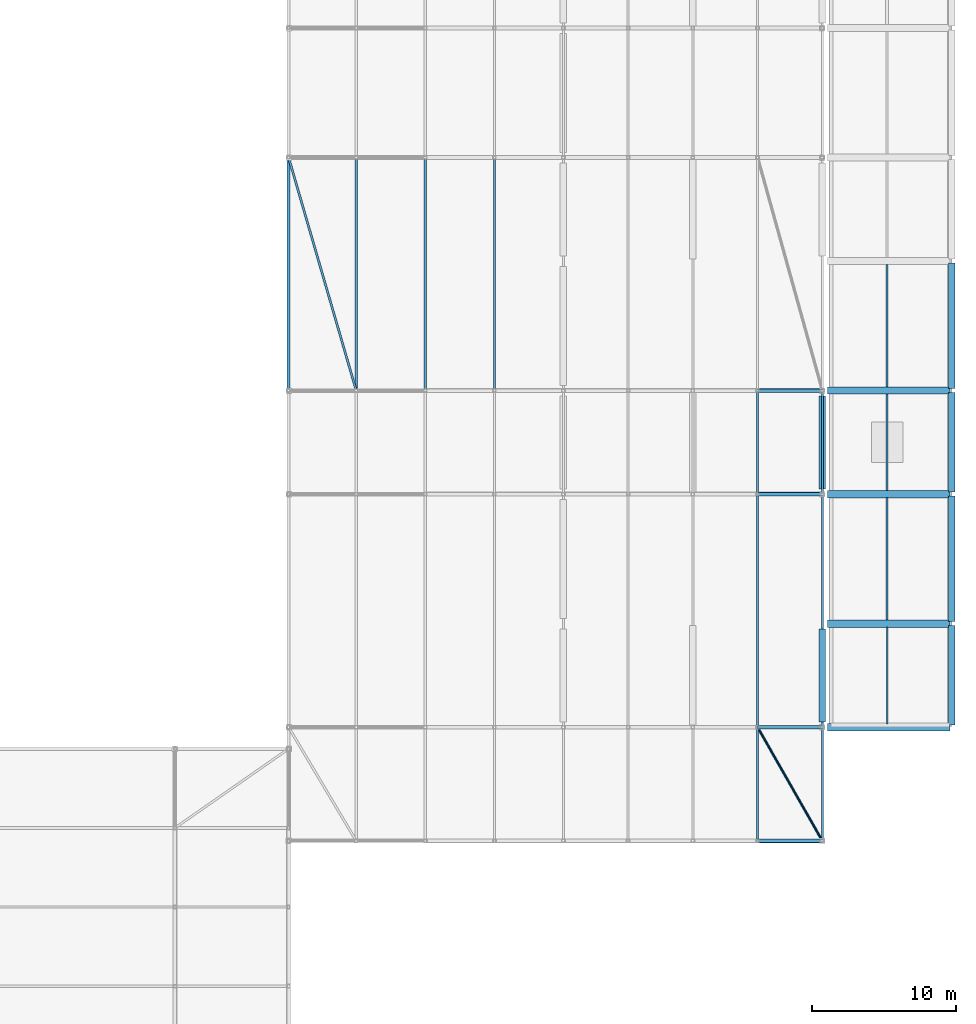
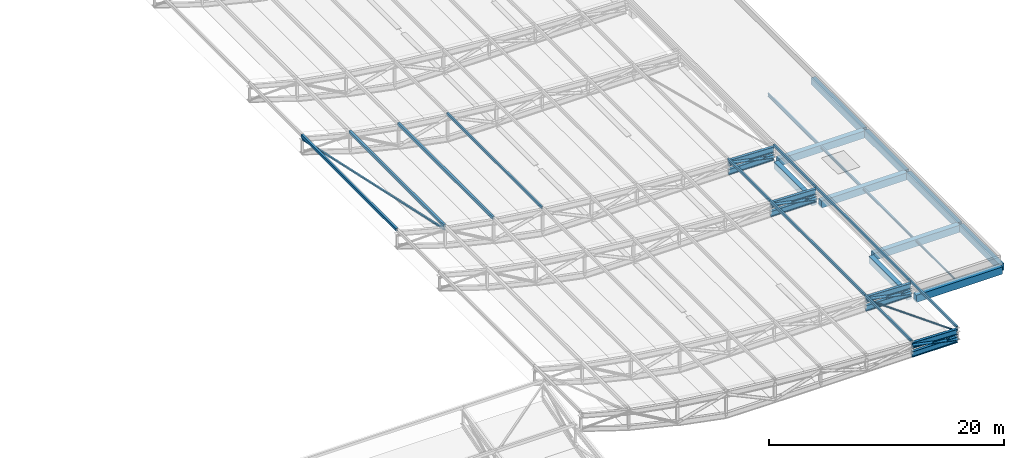
# One storey, part 53 of 114: 22 beams, 16 members.
"""IFC4 building model written with IfcOpenShell, lengths in metres."""

from ifc_helpers import new_model, si_unit, direction, frame, origin, origin_2d, place, context, subcontext, project, spatial, rectangle, hollow_rectangle, hollow_circle, i_section, extrude, material, material_profile, profile_set, type_object, element, save


model = new_model("IFC4")

# Units and contexts
model_context = context("Model", 3, precision=1e-05, world=origin(), true_north=direction((0.0, 1.0)))
body_context = subcontext(model_context, "Body", "Model", "MODEL_VIEW")
ifc_project = project(units=[si_unit("LENGTHUNIT", "METRE"), si_unit("AREAUNIT", "SQUARE_METRE"), si_unit("VOLUMEUNIT", "CUBIC_METRE"), si_unit("PLANEANGLEUNIT", "RADIAN"), si_unit("MASSUNIT", "GRAM", prefix="KILO"), si_unit("THERMODYNAMICTEMPERATUREUNIT", "KELVIN"), si_unit("POWERUNIT", "WATT")], contexts=[model_context])

# Site, building, storey
site_placement = place(None, origin())
site = spatial("IfcSite", under=ifc_project, at=site_placement, CompositionType="ELEMENT")
building_placement = place(site_placement, origin())
building = spatial("IfcBuilding", under=site, at=building_placement, Name="Sindhuravela Promenade Stadium", CompositionType="ELEMENT")
storey_placement = place(building_placement, frame((0.0, 0.0, 24.0)))
storey = spatial("IfcBuildingStorey", under=building, at=storey_placement, Name="L05", CompositionType="ELEMENT", Elevation=24.0)

# Beams
ifc_material_1 = material(Name="Concrete M40", Category="concrete")
ifc_material_profile_1 = material_profile(ifc_material_1, rectangle(XDim=0.449951171875, YDim=0.699951171875, at=origin_2d()), Name="RC 450x700")
ifc_profile_set_1 = profile_set([ifc_material_profile_1], Name="Concrete M40")
beam_type_1 = type_object("IfcBeamType", Name="RC-BM-450x700", PredefinedType="BEAM", material=ifc_profile_set_1)
for number, where, z_axis, x_axis, name in (
    (1, (198.0, 45.364990234375, -0.594970703125), (0.0, 1.0, 0.0), (-1.0, 0.0, 0.0), "Primary beam GB07 EAST L05"),
    (2, (198.0, 61.56494140625, -0.594970703125), (0.0, 1.0, 0.0), (-1.0, 0.0, 0.0), "Primary beam GB07 EAST L05"),
):
    element("IfcBeam", number, at=place(storey_placement, frame(where, z_axis=z_axis, x_axis=x_axis)), inside=storey, type_object=beam_type_1, Name=name, PredefinedType="BEAM", context=body_context, shape_type="SweptSolid", body=[
        extrude(rectangle(XDim=0.449951171875, YDim=0.699951171875, at=origin_2d()), origin(), (0.0, 0.0, 1.0), 6.469970703125),
    ])
beam_1_placement = place(storey_placement, frame((207.0, 45.139892578125, -0.594970703125), z_axis=(0.0, 1.0, 0.0), x_axis=(-1.0, 0.0, 0.0)))
element("IfcBeam", 3, at=beam_1_placement, inside=storey, type_object=beam_type_1, Name="Primary beam GB07 EAST L05", PredefinedType="BEAM", context=body_context, shape_type="SweptSolid", body=[
    extrude(rectangle(XDim=0.449951171875, YDim=0.699951171875, at=origin_2d()), origin(), (0.0, 0.0, 1.0), 6.920166015625),
])
beam_2_placement = place(storey_placement, frame((207.0, 52.340087890625, -0.594970703125), z_axis=(0.0, 1.0, 0.0), x_axis=(-1.0, 0.0, 0.0)))
element("IfcBeam", 4, at=beam_2_placement, inside=storey, type_object=beam_type_1, Name="Primary beam GB07 EAST L05", PredefinedType="BEAM", context=body_context, shape_type="SweptSolid", body=[
    extrude(rectangle(XDim=0.449951171875, YDim=0.699951171875, at=origin_2d()), origin(), (0.0, 0.0, 1.0), 8.719970703125),
])
beam_3_placement = place(storey_placement, frame((207.0, 61.340087890625, -0.594970703125), z_axis=(0.0, 1.0, 0.0), x_axis=(-1.0, 0.0, 0.0)))
element("IfcBeam", 5, at=beam_3_placement, inside=storey, type_object=beam_type_1, Name="Primary beam GB07 EAST L05", PredefinedType="BEAM", context=body_context, shape_type="SweptSolid", body=[
    extrude(rectangle(XDim=0.449951171875, YDim=0.699951171875, at=origin_2d()), origin(), (0.0, 0.0, 1.0), 6.919921875),
])
beam_4_placement = place(storey_placement, frame((207.0, 68.5400390625, -0.594970703125), z_axis=(0.0, 1.0, 0.0), x_axis=(-1.0, 0.0, 0.0)))
element("IfcBeam", 6, at=beam_4_placement, inside=storey, type_object=beam_type_1, Name="Primary beam GB07 EAST L05", PredefinedType="BEAM", context=body_context, shape_type="SweptSolid", body=[
    extrude(rectangle(XDim=0.449951171875, YDim=0.699951171875, at=origin_2d()), origin(), (0.0, 0.0, 1.0), 8.719970703125),
])
ifc_material_profile_2 = material_profile(ifc_material_1, rectangle(XDim=0.5, YDim=0.75, at=origin_2d()), Name="RC 500x750")
ifc_profile_set_2 = profile_set([ifc_material_profile_2], Name="Concrete M40")
beam_type_2 = type_object("IfcBeamType", Name="RC-BM-500x750", PredefinedType="BEAM", material=ifc_profile_set_2)
for number, where, z_axis, x_axis, name in (
    (7, (198.364990234375, 45.0, -0.6201171875), (1.0, 0.0, 0.0), (0.0, 1.0, 0.0), "Primary girder GB06 EAST L05"),
    (8, (198.364990234375, 52.199951171875, -0.6201171875), (1.0, 0.0, 0.0), (0.0, 1.0, 0.0), "Primary girder GB06 EAST L05"),
    (9, (198.364990234375, 61.199951171875, -0.6201171875), (1.0, 0.0, 0.0), (0.0, 1.0, 0.0), "Primary girder GB06 EAST L05"),
    (10, (198.364990234375, 68.39990234375, -0.6201171875), (1.0, 0.0, 0.0), (0.0, 1.0, 0.0), "Primary girder GB06 EAST L05"),
):
    element("IfcBeam", number, at=place(storey_placement, frame(where, z_axis=z_axis, x_axis=x_axis)), inside=storey, type_object=beam_type_2, Name=name, PredefinedType="BEAM", context=body_context, shape_type="SweptSolid", body=[
        extrude(rectangle(XDim=0.5, YDim=0.75, at=origin_2d()), origin(), (0.0, 0.0, 1.0), 8.4951171875),
    ])
ifc_material_2 = material(Name="Steel E350 (IS 2062 E350BR)", Category="steel")
ifc_material_profile_3 = material_profile(ifc_material_2, i_section(OverallWidth=0.10009765625, OverallDepth=0.199951171875, WebThickness=0.005615234375, FlangeThickness=0.0107421875, FilletRadius=0.010986328125, at=origin_2d()), Name="ISMB 200")
ifc_profile_set_3 = profile_set([ifc_material_profile_3], Name="Steel E350 (IS 2062 E350BR)")
beam_type_3 = type_object("IfcBeamType", Name="ST-BM-MB200", PredefinedType="JOIST", material=ifc_profile_set_3)
beam_5_placement = place(storey_placement, frame((202.5, 45.239990234375, -0.344970703125), z_axis=(0.0, 1.0, 0.0), x_axis=(-1.0, 0.0, 0.0)))
element("IfcBeam", 11, at=beam_5_placement, inside=storey, type_object=beam_type_3, Name="Secondary floor joist SB01 EAST L05", PredefinedType="JOIST", context=body_context, shape_type="SweptSolid", body=[
    extrude(i_section(OverallWidth=0.10009765625, OverallDepth=0.199951171875, WebThickness=0.005615234375, FlangeThickness=0.0107421875, FilletRadius=0.010986328125, at=origin_2d()), origin(), (0.0, 0.0, 1.0), 6.719970703125),
])
ifc_material_profile_4 = material_profile(ifc_material_2, i_section(OverallWidth=0.125, OverallDepth=0.25, WebThickness=0.0068359375, FlangeThickness=0.012451171875, FilletRadius=0.012939453125, at=origin_2d()), Name="ISMB 250")
ifc_profile_set_4 = profile_set([ifc_material_profile_4], Name="Steel E350 (IS 2062 E350BR)")
beam_type_4 = type_object("IfcBeamType", Name="ST-BM-MB250", PredefinedType="JOIST", material=ifc_profile_set_4)
beam_6_placement = place(storey_placement, frame((202.5, 52.43994140625, -0.3701171875), z_axis=(0.0, 1.0, 0.0), x_axis=(-1.0, 0.0, 0.0)))
element("IfcBeam", 12, at=beam_6_placement, inside=storey, type_object=beam_type_4, Name="Secondary floor joist SB02 EAST L05", PredefinedType="JOIST", context=body_context, shape_type="SweptSolid", body=[
    extrude(i_section(OverallWidth=0.125, OverallDepth=0.25, WebThickness=0.0068359375, FlangeThickness=0.012451171875, FilletRadius=0.012939453125, at=origin_2d()), origin(), (0.0, 0.0, 1.0), 8.52001953125),
])
ifc_material_profile_5 = material_profile(ifc_material_2, i_section(OverallWidth=0.139892578125, OverallDepth=0.300048828125, WebThickness=0.0078125, FlangeThickness=0.01318359375, FilletRadius=0.013916015625, at=origin_2d()), Name="ISMB 300")
ifc_profile_set_5 = profile_set([ifc_material_profile_5], Name="Steel E350 (IS 2062 E350BR)")
beam_type_5 = type_object("IfcBeamType", Name="ST-BM-MB300", PredefinedType="JOIST", material=ifc_profile_set_5)
beam_7_placement = place(storey_placement, frame((202.5, 61.43994140625, -0.39501953125), z_axis=(0.0, 1.0, 0.0), x_axis=(-1.0, 0.0, 0.0)))
element("IfcBeam", 13, at=beam_7_placement, inside=storey, type_object=beam_type_5, Name="Secondary floor joist SB03 EAST L05", PredefinedType="JOIST", context=body_context, shape_type="SweptSolid", body=[
    extrude(i_section(OverallWidth=0.139892578125, OverallDepth=0.300048828125, WebThickness=0.0078125, FlangeThickness=0.01318359375, FilletRadius=0.013916015625, at=origin_2d()), origin(), (0.0, 0.0, 1.0), 6.719970703125),
])
ifc_material_profile_6 = material_profile(ifc_material_2, i_section(OverallWidth=0.139892578125, OverallDepth=0.35009765625, WebThickness=0.008056640625, FlangeThickness=0.01416015625, FilletRadius=0.013916015625, at=origin_2d()), Name="ISMB 350")
ifc_profile_set_6 = profile_set([ifc_material_profile_6], Name="Steel E350 (IS 2062 E350BR)")
beam_type_6 = type_object("IfcBeamType", Name="ST-BM-MB350", PredefinedType="JOIST", material=ifc_profile_set_6)
beam_8_placement = place(storey_placement, frame((202.5, 68.639892578125, -0.419921875), z_axis=(0.0, 1.0, 0.0), x_axis=(-1.0, 0.0, 0.0)))
element("IfcBeam", 14, at=beam_8_placement, inside=storey, type_object=beam_type_6, Name="Secondary floor joist SB04 EAST L05", PredefinedType="JOIST", context=body_context, shape_type="SweptSolid", body=[
    extrude(i_section(OverallWidth=0.139892578125, OverallDepth=0.35009765625, WebThickness=0.008056640625, FlangeThickness=0.01416015625, FilletRadius=0.013916015625, at=origin_2d()), origin(), (0.0, 0.0, 1.0), 8.52001953125),
])
ifc_material_profile_7 = material_profile(ifc_material_2, i_section(OverallWidth=0.25, OverallDepth=0.60009765625, WebThickness=0.01171875, FlangeThickness=0.023681640625, FilletRadius=0.01708984375, at=origin_2d()), Name="ISWB 600")
ifc_profile_set_7 = profile_set([ifc_material_profile_7], Name="Steel E350 (IS 2062 E350BR)")
beam_type_7 = type_object("IfcBeamType", Name="ST-BM-WB600", PredefinedType="USERDEFINED", material=ifc_profile_set_7)
beam_9_placement = place(storey_placement, frame((198.0, 37.10009765625, 0.800048828125), z_axis=(-0.9995790230322986, 0.0, 0.02901338852659938), x_axis=(0.0, -1.0, 0.0)))
element("IfcBeam", 15, at=beam_9_placement, inside=storey, type_object=beam_type_7, Name="Roof truss RT-E01 top chord 1", ObjectType="ROOF TRUSS", PredefinedType="USERDEFINED", context=body_context, shape_type="SweptSolid", body=[
    extrude(i_section(OverallWidth=0.25, OverallDepth=0.60009765625, WebThickness=0.01171875, FlangeThickness=0.023681640625, FilletRadius=0.01708984375, at=origin_2d()), origin(), (0.0, 0.0, 1.0), 4.501953125),
])
beam_10_placement = place(storey_placement, frame((198.0, 37.10009765625, 0.0), z_axis=(-1.0, 0.0, 0.0), x_axis=(0.0, -1.0, 0.0)))
element("IfcBeam", 16, at=beam_10_placement, inside=storey, type_object=beam_type_7, Name="Roof truss RT-E01 bottom chord 1", ObjectType="ROOF TRUSS", PredefinedType="USERDEFINED", context=body_context, shape_type="SweptSolid", body=[
    extrude(i_section(OverallWidth=0.25, OverallDepth=0.60009765625, WebThickness=0.01171875, FlangeThickness=0.023681640625, FilletRadius=0.01708984375, at=origin_2d()), origin(), (0.0, 0.0, 1.0), 4.5),
])
beam_11_placement = place(storey_placement, frame((198.0, 45.0, 0.800048828125), z_axis=(-0.9995790230322986, 0.0, 0.02901338852659938), x_axis=(0.0, -1.0, 0.0)))
element("IfcBeam", 17, at=beam_11_placement, inside=storey, type_object=beam_type_7, Name="Roof truss RT-E02 top chord 1", ObjectType="ROOF TRUSS", PredefinedType="USERDEFINED", context=body_context, shape_type="SweptSolid", body=[
    extrude(i_section(OverallWidth=0.25, OverallDepth=0.60009765625, WebThickness=0.01171875, FlangeThickness=0.023681640625, FilletRadius=0.01708984375, at=origin_2d()), origin(), (0.0, 0.0, 1.0), 4.501953125),
])
beam_12_placement = place(storey_placement, frame((198.0, 45.0, 0.0), z_axis=(-1.0, 0.0, 0.0), x_axis=(0.0, -1.0, 0.0)))
element("IfcBeam", 18, at=beam_12_placement, inside=storey, type_object=beam_type_7, Name="Roof truss RT-E02 bottom chord 1", ObjectType="ROOF TRUSS", PredefinedType="USERDEFINED", context=body_context, shape_type="SweptSolid", body=[
    extrude(i_section(OverallWidth=0.25, OverallDepth=0.60009765625, WebThickness=0.01171875, FlangeThickness=0.023681640625, FilletRadius=0.01708984375, at=origin_2d()), origin(), (0.0, 0.0, 1.0), 4.5),
])
beam_13_placement = place(storey_placement, frame((198.0, 61.199951171875, 0.800048828125), z_axis=(-0.9995790230322986, 0.0, 0.02901338852659938), x_axis=(0.0, -1.0, 0.0)))
element("IfcBeam", 19, at=beam_13_placement, inside=storey, type_object=beam_type_7, Name="Roof truss RT-E03 top chord 1", ObjectType="ROOF TRUSS", PredefinedType="USERDEFINED", context=body_context, shape_type="SweptSolid", body=[
    extrude(i_section(OverallWidth=0.25, OverallDepth=0.60009765625, WebThickness=0.01171875, FlangeThickness=0.023681640625, FilletRadius=0.01708984375, at=origin_2d()), origin(), (0.0, 0.0, 1.0), 4.501953125),
])
beam_14_placement = place(storey_placement, frame((198.0, 61.199951171875, 0.0), z_axis=(-1.0, 0.0, 0.0), x_axis=(0.0, -1.0, 0.0)))
element("IfcBeam", 20, at=beam_14_placement, inside=storey, type_object=beam_type_7, Name="Roof truss RT-E03 bottom chord 1", ObjectType="ROOF TRUSS", PredefinedType="USERDEFINED", context=body_context, shape_type="SweptSolid", body=[
    extrude(i_section(OverallWidth=0.25, OverallDepth=0.60009765625, WebThickness=0.01171875, FlangeThickness=0.023681640625, FilletRadius=0.01708984375, at=origin_2d()), origin(), (0.0, 0.0, 1.0), 4.5),
])
beam_15_placement = place(storey_placement, frame((198.0, 68.39990234375, 0.800048828125), z_axis=(-0.9995790230322986, 0.0, 0.02901338852659938), x_axis=(0.0, -1.0, 0.0)))
element("IfcBeam", 21, at=beam_15_placement, inside=storey, type_object=beam_type_7, Name="Roof truss RT-E04 top chord 1", ObjectType="ROOF TRUSS", PredefinedType="USERDEFINED", context=body_context, shape_type="SweptSolid", body=[
    extrude(i_section(OverallWidth=0.25, OverallDepth=0.60009765625, WebThickness=0.01171875, FlangeThickness=0.023681640625, FilletRadius=0.01708984375, at=origin_2d()), origin(), (0.0, 0.0, 1.0), 4.501953125),
])
beam_16_placement = place(storey_placement, frame((198.0, 68.39990234375, 0.0), z_axis=(-1.0, 0.0, 0.0), x_axis=(0.0, -1.0, 0.0)))
element("IfcBeam", 22, at=beam_16_placement, inside=storey, type_object=beam_type_7, Name="Roof truss RT-E04 bottom chord 1", ObjectType="ROOF TRUSS", PredefinedType="USERDEFINED", context=body_context, shape_type="SweptSolid", body=[
    extrude(i_section(OverallWidth=0.25, OverallDepth=0.60009765625, WebThickness=0.01171875, FlangeThickness=0.023681640625, FilletRadius=0.01708984375, at=origin_2d()), origin(), (0.0, 0.0, 1.0), 4.5),
])

# Members
ifc_material_profile_8 = material_profile(ifc_material_2, hollow_circle(Radius=0.084228515625, WallThickness=0.008056640625, at=origin_2d()), Name="CHS 168.3x8")
ifc_profile_set_8 = profile_set([ifc_material_profile_8], Name="Steel E350 (IS 2062 E350BR)")
member_type_1 = type_object("IfcMemberType", Name="ST-MB-CHS168", PredefinedType="BRACE", material=ifc_profile_set_8)
member_1_placement = place(storey_placement, frame((198.0, 37.10009765625, 0.800048828125), z_axis=(-0.49490752024867096, 0.868826906478217, 0.014364991500273382), x_axis=(-0.8689165628650795, -0.4949585909737667, 0.0)))
element("IfcMember", 23, at=member_1_placement, inside=storey, type_object=member_type_1, Name="Roof wind brace MB03 E bay 1", PredefinedType="BRACE", context=body_context, shape_type="SweptSolid", body=[
    extrude(hollow_circle(Radius=0.084228515625, WallThickness=0.008056640625, at=origin_2d()), origin(), (0.0, 0.0, 1.0), 9.092529296875),
])
ifc_material_profile_9 = material_profile(ifc_material_2, hollow_circle(Radius=0.136474609375, WallThickness=0.010009765625, at=origin_2d()), Name="CHS 273.0x10")
ifc_profile_set_9 = profile_set([ifc_material_profile_9], Name="Steel E350 (IS 2062 E350BR)")
member_type_2 = type_object("IfcMemberType", Name="ST-MB-CHS273", PredefinedType="BRACE", material=ifc_profile_set_9)
for number, where, z_axis, x_axis, name in (
    (24, (198.0, 37.10009765625, 0.0), (-0.9792764097222669, 0.0, 0.2025283026183421), (0.0, -1.0, 0.0), "Roof truss RT-E01 diagonal web 1"),
    (25, (198.0, 45.0, 0.0), (-0.9792764097222669, 0.0, 0.2025283026183421), (0.0, -1.0, 0.0), "Roof truss RT-E02 diagonal web 1"),
    (26, (198.0, 61.199951171875, 0.0), (-0.9792764097222669, 0.0, 0.2025283026183421), (0.0, -1.0, 0.0), "Roof truss RT-E03 diagonal web 1"),
    (27, (198.0, 68.39990234375, 0.0), (-0.9792764097222669, 0.0, 0.2025283026183421), (0.0, -1.0, 0.0), "Roof truss RT-E04 diagonal web 1"),
):
    element("IfcMember", number, at=place(storey_placement, frame(where, z_axis=z_axis, x_axis=x_axis)), inside=storey, type_object=member_type_2, Name=name, PredefinedType="BRACE", context=body_context, shape_type="SweptSolid", body=[
        extrude(hollow_circle(Radius=0.136474609375, WallThickness=0.010009765625, at=origin_2d()), origin(), (0.0, 0.0, 1.0), 4.59521484375),
    ])
ifc_material_profile_10 = material_profile(ifc_material_2, hollow_rectangle(XDim=0.14990234375, YDim=0.25, WallThickness=0.010009765625, at=origin_2d()), Name="RHS 250x150x10")
ifc_profile_set_10 = profile_set([ifc_material_profile_10], Name="Steel E350 (IS 2062 E350BR)")
member_type_3 = type_object("IfcMemberType", Name="ST-MB-RHS250", PredefinedType="PURLIN", material=ifc_profile_set_10)
for number, where, z_axis, x_axis, name in (
    (28, (198.0, 37.10009765625, 1.19189453125), (0.0, 1.0, 0.0), (-1.0, 0.0, 0.0), "Roof purlin PR01 E bay 1.1"),
    (29, (193.5, 37.10009765625, 1.32275390625), (0.0, 1.0, 0.0), (-1.0, 0.0, 0.0), "Roof purlin PR01 E bay 1.2"),
):
    element("IfcMember", number, at=place(storey_placement, frame(where, z_axis=z_axis, x_axis=x_axis)), inside=storey, type_object=member_type_3, Name=name, PredefinedType="PURLIN", context=body_context, shape_type="SweptSolid", body=[
        extrude(hollow_rectangle(XDim=0.14990234375, YDim=0.25, WallThickness=0.010009765625, at=origin_2d()), origin(), (0.0, 0.0, 1.0), 7.89990234375),
    ])
for number, where, z_axis, x_axis, name in (
    (30, (198.0, 45.0, 1.19189453125), (0.0, 1.0, 0.0), (-1.0, 0.0, 0.0), "Roof purlin PR01 E bay 2.1"),
    (31, (193.5, 45.0, 1.32275390625), (0.0, 1.0, 0.0), (-1.0, 0.0, 0.0), "Roof purlin PR01 E bay 2.2"),
):
    element("IfcMember", number, at=place(storey_placement, frame(where, z_axis=z_axis, x_axis=x_axis)), inside=storey, type_object=member_type_3, Name=name, PredefinedType="PURLIN", context=body_context, shape_type="SweptSolid", body=[
        extrude(hollow_rectangle(XDim=0.14990234375, YDim=0.25, WallThickness=0.010009765625, at=origin_2d()), origin(), (0.0, 0.0, 1.0), 16.199951171875),
    ])
for number, where, z_axis, x_axis, name in (
    (32, (198.0, 61.199951171875, 1.19189453125), (0.0, 1.0, 0.0), (-1.0, 0.0, 0.0), "Roof purlin PR01 E bay 3.1"),
    (33, (193.5, 61.199951171875, 1.32275390625), (0.0, 1.0, 0.0), (-1.0, 0.0, 0.0), "Roof purlin PR01 E bay 3.2"),
):
    element("IfcMember", number, at=place(storey_placement, frame(where, z_axis=z_axis, x_axis=x_axis)), inside=storey, type_object=member_type_3, Name=name, PredefinedType="PURLIN", context=body_context, shape_type="SweptSolid", body=[
        extrude(hollow_rectangle(XDim=0.14990234375, YDim=0.25, WallThickness=0.010009765625, at=origin_2d()), origin(), (0.0, 0.0, 1.0), 7.199951171875),
    ])
member_2_placement = place(storey_placement, frame((175.199951171875, 68.39990234375, 2.641357421875), z_axis=(0.0, 1.0, 0.0), x_axis=(-1.0, 0.0, 0.0)))
element("IfcMember", 34, at=member_2_placement, inside=storey, type_object=member_type_3, Name="Roof purlin PR01 E bay 4.6", PredefinedType="PURLIN", context=body_context, shape_type="SweptSolid", body=[
    extrude(hollow_rectangle(XDim=0.14990234375, YDim=0.25, WallThickness=0.010009765625, at=origin_2d()), origin(), (0.0, 0.0, 1.0), 16.2001953125),
])
ifc_material_profile_11 = material_profile(ifc_material_2, hollow_rectangle(XDim=0.199951171875, YDim=0.300048828125, WallThickness=0.010009765625, at=origin_2d()), Name="RHS 300x200x10")
ifc_profile_set_11 = profile_set([ifc_material_profile_11], Name="Steel E350 (IS 2062 E350BR)")
member_type_4 = type_object("IfcMemberType", Name="ST-MB-RHS300", PredefinedType="PURLIN", material=ifc_profile_set_11)
for number, where, z_axis, x_axis, name in (
    (35, (170.39990234375, 68.39990234375, 3.2568359375), (0.0, 1.0, 0.0), (-1.0, 0.0, 0.0), "Roof purlin PR02 E bay 4.7"),
    (36, (165.60009765625, 68.39990234375, 4.117919921875), (0.0, 1.0, 0.0), (-1.0, 0.0, 0.0), "Roof purlin PR02 E bay 4.8"),
    (37, (160.89990234375, 68.39990234375, 5.366943359375), (0.0, 1.0, 0.0), (-1.0, 0.0, 0.0), "Roof purlin PR02 E bay 4.9"),
):
    element("IfcMember", number, at=place(storey_placement, frame(where, z_axis=z_axis, x_axis=x_axis)), inside=storey, type_object=member_type_4, Name=name, PredefinedType="PURLIN", context=body_context, shape_type="SweptSolid", body=[
        extrude(hollow_rectangle(XDim=0.199951171875, YDim=0.300048828125, WallThickness=0.010009765625, at=origin_2d()), origin(), (0.0, 0.0, 1.0), 16.2001953125),
    ])
ifc_material_profile_12 = material_profile(ifc_material_2, hollow_rectangle(XDim=0.14990234375, YDim=0.14990234375, WallThickness=0.008056640625, at=origin_2d()), Name="SHS 150x150x8")
ifc_profile_set_12 = profile_set([ifc_material_profile_12], Name="Steel E350 (IS 2062 E350BR)")
member_type_5 = type_object("IfcMemberType", Name="ST-MB-SHS150", PredefinedType="BRACE", material=ifc_profile_set_12)
member_3_placement = place(storey_placement, frame((165.60009765625, 68.39990234375, 3.750732421875), z_axis=(-0.2778803654817492, 0.9577721551998208, 0.07385797995897106), x_axis=(-0.9603952158204156, -0.27864139934557, 0.0)))
element("IfcMember", 38, at=member_3_placement, inside=storey, type_object=member_type_5, Name="Roof wind brace MB01 E bay 4", PredefinedType="BRACE", context=body_context, shape_type="SweptSolid", body=[
    extrude(hollow_rectangle(XDim=0.14990234375, YDim=0.14990234375, WallThickness=0.008056640625, at=origin_2d()), origin(), (0.0, 0.0, 1.0), 16.91455078125),
])

save(model, "model.ifc")
